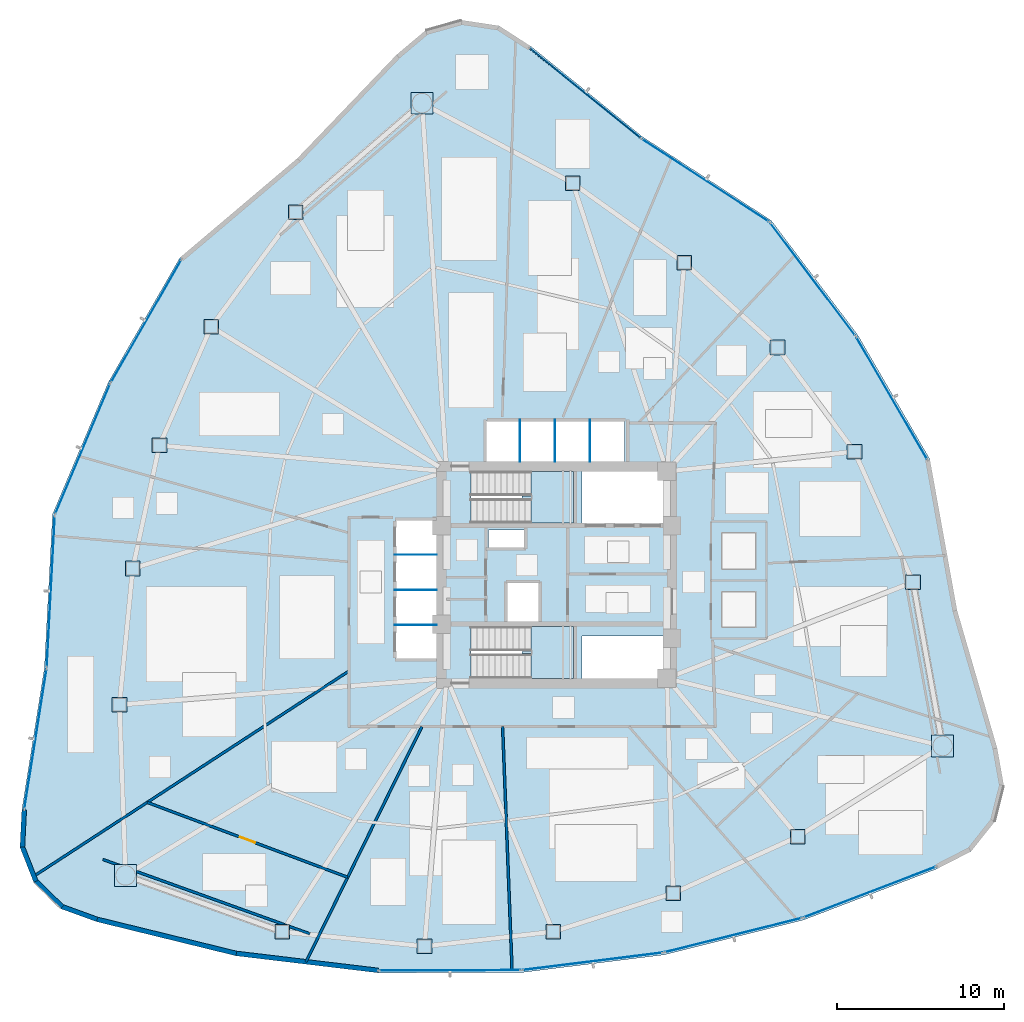
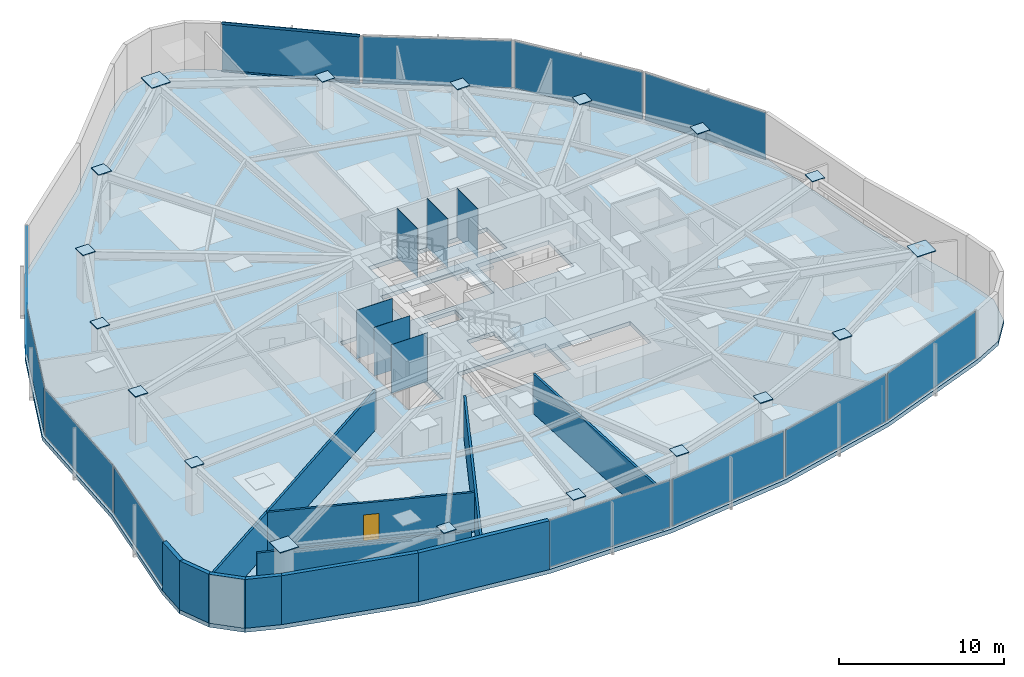
# One storey, part 10 of 17: 36 plates, 11 walls, 3 slabs, 2 members, 1 door, 1 opening, 14 elements without a shape of their own.
"""IFC4 building model written with IfcOpenShell, lengths in metres."""

from ifc_helpers import new_model, si_unit, direction, frame, frame_2d, origin, origin_2d, place, context, subcontext, project, spatial, polyline, rectangle, hollow_rectangle, outline, extrude, source, transform, mapped, material, layer, layer_set, material_profile, profile_set, type_object, type_shapes, element, fill, aggregate, save


model = new_model("IFC4")

# Units and contexts
model_context = context("Model", 3, precision=1e-05, world=origin(), true_north=direction((0.0, 1.0)))
body_context = subcontext(model_context, "Body", "Model", "MODEL_VIEW")
ifc_project = project(units=[si_unit("LENGTHUNIT", "METRE"), si_unit("AREAUNIT", "SQUARE_METRE"), si_unit("VOLUMEUNIT", "CUBIC_METRE"), si_unit("PLANEANGLEUNIT", "RADIAN"), si_unit("MASSUNIT", "GRAM", prefix="KILO")], contexts=[model_context])

# Site, building, storey
site_placement = place(None, origin())
site = spatial("IfcSite", under=ifc_project, at=site_placement, CompositionType="ELEMENT")
building_placement = place(site_placement, origin())
building = spatial("IfcBuilding", under=site, at=building_placement, Name="Tavelor Broadcast Tower", CompositionType="ELEMENT")
storey_placement = place(building_placement, frame((0.0, 0.0, 39.300048828125)))
storey = spatial("IfcBuildingStorey", under=building, at=storey_placement, Name="L08", CompositionType="ELEMENT", Elevation=39.300048828125)

# Curtain wall, members
ifc_material_1 = material(Name="Architectural Anodized Aluminium", Category="aluminium")
ifc_layer_1 = layer(ifc_material_1, 0.179931640625)
ifc_layer_set_1 = layer_set([ifc_layer_1], Name="Architectural Anodized Aluminium")
curtain_wall_type = type_object("IfcCurtainWallType", Name="Tower Low-Zone Unitised Curtain Wall CW02", PredefinedType="NOTDEFINED", material=ifc_layer_set_1)
curtain_wall_1_placement = place(storey_placement, origin())
curtain_wall_1 = element("IfcCurtainWall", 1, at=curtain_wall_1_placement, inside=storey, type_object=curtain_wall_type, Name="L08 Curtain Wall CW02 Run 60", PredefinedType="NOTDEFINED")
ifc_material_profile = material_profile(ifc_material_1, hollow_rectangle(XDim=0.06494140625, YDim=0.179931640625, WallThickness=0.02197265625, at=origin_2d()), Name="RHS 65x180x22")
ifc_profile_set = profile_set([ifc_material_profile], Name="Architectural Anodized Aluminium")
member_type = type_object("IfcMemberType", Name="CW02 Extruded Aluminium Transom 65x180", PredefinedType="USERDEFINED", material=ifc_profile_set)
shared_shape_1 = source(origin(), body_context, "Body", "SweptSolid", [
    extrude(hollow_rectangle(XDim=0.06494140625, YDim=0.179931640625, WallThickness=0.02197265625, at=origin_2d()), origin(), (0.0, 0.0, 1.0), 8.4560546875),
])
type_shapes(member_type, [shared_shape_1])
member_1_placement = place(storey_placement, frame((54.9794921875, 71.197021484375, 0.032470703125), z_axis=(-0.77688704905, 0.629639986832, 0.0), x_axis=(-0.629639986832, -0.77688704905, 0.0)))
member_1 = element("IfcMember", 2, at=member_1_placement, type_object=member_type, Name="CW02 transom 1.1", ObjectType="TRANSOM", PredefinedType="USERDEFINED", context=body_context, shape_type="MappedRepresentation", body=[
    mapped(shared_shape_1, transform((0.0, 0.0, 0.0), scale=1.0)),
])
member_2_placement = place(storey_placement, frame((54.9794921875, 71.197021484375, 3.5673828125), z_axis=(-0.77688704905, 0.629639986832, 0.0), x_axis=(-0.629639986832, -0.77688704905, 0.0)))
member_2 = element("IfcMember", 3, at=member_2_placement, type_object=member_type, Name="CW02 transom 1.2", ObjectType="TRANSOM", PredefinedType="USERDEFINED", context=body_context, shape_type="MappedRepresentation", body=[
    mapped(shared_shape_1, transform((0.0, 0.0, 0.0), scale=1.0)),
])

# Stair, slab
ifc_material_2 = material(Name="Concrete C40/50", Category="concrete")
stair_type = type_object("IfcStairType", Name="Reinforced Concrete Protected Dogleg Stair 1450 mm", PredefinedType="HALF_TURN_STAIR", material=ifc_material_2)
stair_1_placement = place(storey_placement, origin())
stair_1 = element("IfcStair", 4, at=stair_1_placement, inside=storey, type_object=stair_type, Name="L08 Protected Core Exit Stair ST1", PredefinedType="HALF_TURN_STAIR")
ifc_layer_2 = layer(ifc_material_2, 0.199951171875)
ifc_layer_set_2 = layer_set([ifc_layer_2], Name="Concrete C40/50")
slab_type_1 = type_object("IfcSlabType", Name="Reinforced Concrete Stair Half-Landing Slab 200 mm", PredefinedType="LANDING", material=ifc_layer_set_2)
slab_1_placement = place(storey_placement, frame((0.0, 0.0, 1.75)))
slab_1 = element("IfcSlab", 5, at=slab_1_placement, type_object=slab_type_1, Name="ST1 landing 1", PredefinedType="LANDING", context=body_context, shape_type="SweptSolid", body=[
    extrude(outline(polyline([(48.445068359375, 49.590087890625), (48.445068359375, 48.094970703125), (51.0048828125, 48.094970703125), (51.0048828125, 51.205078125), (48.445068359375, 51.205078125), (48.445068359375, 49.7099609375), (47.905029296875, 49.7099609375), (47.905029296875, 49.590087890625), (48.445068359375, 49.590087890625)])), origin(), (0.0, 0.0, 1.0), 0.199951171875),
])
aggregate(stair_1, [slab_1])

stair_2_placement = place(storey_placement, origin())
stair_2 = element("IfcStair", 6, at=stair_2_placement, inside=storey, type_object=stair_type, Name="L08 Protected Core Exit Stair ST2", PredefinedType="HALF_TURN_STAIR")
slab_2_placement = place(storey_placement, frame((0.0, 0.0, 1.75)))
slab_2 = element("IfcSlab", 7, at=slab_2_placement, type_object=slab_type_1, Name="ST2 landing 1", PredefinedType="LANDING", context=body_context, shape_type="SweptSolid", body=[
    extrude(outline(polyline([(48.445068359375, 40.2900390625), (48.445068359375, 38.794921875), (51.0048828125, 38.794921875), (51.0048828125, 41.905029296875), (48.445068359375, 41.905029296875), (48.445068359375, 40.409912109375), (47.905029296875, 40.409912109375), (47.905029296875, 40.2900390625), (48.445068359375, 40.2900390625)])), origin(), (0.0, 0.0, 1.0), 0.199951171875),
])
aggregate(stair_2, [slab_2])

# Slab
ifc_layer_3 = layer(ifc_material_2, 0.300048828125)
ifc_layer_set_3 = layer_set([ifc_layer_3], Name="Concrete C40/50")
slab_type_2 = type_object("IfcSlabType", Name="Tower Composite Floor Slab 300 mm", PredefinedType="FLOOR", material=ifc_layer_set_3)
slab_3_placement = place(storey_placement, frame((0.0, 0.0, -0.300048828125)))
element("IfcSlab", 8, at=slab_3_placement, inside=storey, type_object=slab_type_2, Name="L08 Structural Floor Slab", PredefinedType="FLOOR", context=body_context, shape_type="SweptSolid", body=[
    extrude(outline(polyline([(48.44189453125, 76.675537109375), (46.54345703125, 77.9013671875), (44.308837890625, 78.2373046875), (42.134033203125, 77.6240234375), (40.404296875, 76.169921875), (34.45361328125, 69.95947265625), (27.4169921875, 64.00830078125), (23.132568359375, 56.550048828125), (19.7822265625, 48.628173828125), (19.296142578125, 39.42529296875), (17.947021484375, 30.930419921875), (17.834716796875, 28.673583984375), (18.6611328125, 26.5703125), (20.27978515625, 24.993408203125), (22.40380859375, 24.222412109375), (30.7578125, 22.17431640625), (39.298095703125, 21.152099609375), (47.899169921875, 21.170654296875), (56.434814453125, 22.230224609375), (64.77978515625, 24.314697265625), (72.810791015625, 27.393798828125), (74.82177734375, 28.425048828125), (76.22998046875, 30.1923828125), (76.7861328125, 32.382568359375), (76.391845703125, 34.607666015625), (73.98876953125, 42.8662109375), (72.35302734375, 51.935546875), (68.036376953125, 59.375), (62.850830078125, 66.237548828125), (55.1240234375, 71.260009765625), (48.44189453125, 76.675537109375)]), holes=[polyline([(56.60009765625, 38.800048828125), (51.52001953125, 38.800048828125), (51.52001953125, 41.35009765625), (56.60009765625, 41.35009765625), (56.60009765625, 38.800048828125)]), polyline([(50.99609375, 38.803955078125), (44.85400390625, 38.803955078125), (44.85400390625, 41.89599609375), (50.99609375, 41.89599609375), (50.99609375, 38.803955078125)]), polyline([(47.050048828125, 42.199951171875), (47.050048828125, 44.550048828125), (48.949951171875, 44.550048828125), (48.949951171875, 42.199951171875), (47.050048828125, 42.199951171875)]), polyline([(40.35009765625, 40.0), (40.35009765625, 48.25), (42.800048828125, 48.25), (42.800048828125, 40.0), (40.35009765625, 40.0)]), polyline([(48.050048828125, 46.64990234375), (45.89990234375, 46.64990234375), (45.89990234375, 47.699951171875), (48.050048828125, 47.699951171875), (48.050048828125, 46.64990234375)]), polyline([(50.99609375, 48.10400390625), (44.85400390625, 48.10400390625), (44.85400390625, 51.196044921875), (50.99609375, 51.196044921875), (50.99609375, 48.10400390625)]), polyline([(56.60009765625, 48.10009765625), (51.52001953125, 48.10009765625), (51.52001953125, 51.199951171875), (56.60009765625, 51.199951171875), (56.60009765625, 48.10009765625)]), polyline([(54.050048828125, 51.800048828125), (45.800048828125, 51.800048828125), (45.800048828125, 54.25), (54.050048828125, 54.25), (54.050048828125, 51.800048828125)])]), origin(), (0.0, 0.0, 1.0), 0.300048828125),
])

# Plates
ifc_material_3 = material(Name="Steel S460", Category="steel")
ifc_layer_4 = layer(ifc_material_3, 0.050048828125)
ifc_layer_set_4 = layer_set([ifc_layer_4], Name="Steel S460")
plate_type_1 = type_object("IfcPlateType", Name="Tube Hollow-End Cap Plate KN05 700x700x50", PredefinedType="USERDEFINED", material=ifc_layer_set_4)
shared_shape_2 = source(origin(), body_context, "Body", "SweptSolid", [
    extrude(rectangle(XDim=1.299072265625, YDim=1.299072265625, at=origin_2d()), origin(), (0.0, 0.0, 1.0), 0.054931640625),
])
for number, where, z_axis, x_axis, name in (
    (9, (41.923095703125, 73.266357421875, 3.572265625), (0.0, 0.0, 1.0), (1.0, 0.0, 0.0), "L08 Hollow End Cap Plate KN05 #292"),
    (10, (24.1591796875, 26.98974609375, 3.572265625), (0.0, 0.0, 1.0), (1.0, 0.0, 0.0), "L08 Hollow End Cap Plate KN05 #298"),
    (11, (73.117919921875, 34.743896484375, 3.572265625), (0.0, 0.0, 1.0), (1.0, 0.0, 0.0), "L08 Hollow End Cap Plate KN05 #304"),
):
    element("IfcPlate", number, at=place(storey_placement, frame(where, z_axis=z_axis, x_axis=x_axis)), inside=storey, type_object=plate_type_1, Name=name, ObjectType="CAP PLATE", PredefinedType="USERDEFINED", context=body_context, shape_type="MappedRepresentation", body=[
        mapped(shared_shape_2, transform((0.0, 0.0, 0.0), scale=1.0)),
    ])
shared_shape_3 = source(origin(), body_context, "Body", "SweptSolid", [
    extrude(rectangle(XDim=0.8798828125, YDim=0.8798828125, at=origin_2d()), origin(), (0.0, 0.0, 1.0), 0.054931640625),
])
type_shapes(plate_type_1, [shared_shape_2, shared_shape_3])
for number, where, z_axis, x_axis, name in (
    (12, (34.356201171875, 66.727783203125, 3.572265625), (0.0, 0.0, 1.0), (1.0, 0.0, 0.0), "L08 Hollow End Cap Plate KN05 #293"),
    (13, (29.292236328125, 59.87158203125, 3.572265625), (0.0, 0.0, 1.0), (1.0, 0.0, 0.0), "L08 Hollow End Cap Plate KN05 #294"),
    (14, (26.189208984375, 52.75830078125, 3.572265625), (0.0, 0.0, 1.0), (1.0, 0.0, 0.0), "L08 Hollow End Cap Plate KN05 #295"),
    (15, (24.58984375, 45.380615234375, 3.572265625), (0.0, 0.0, 1.0), (1.0, 0.0, 0.0), "L08 Hollow End Cap Plate KN05 #296"),
    (16, (23.794677734375, 37.21630859375, 3.572265625), (0.0, 0.0, 1.0), (1.0, 0.0, 0.0), "L08 Hollow End Cap Plate KN05 #297"),
    (17, (33.55078125, 23.615478515625, 3.572265625), (0.0, 0.0, 1.0), (1.0, 0.0, 0.0), "L08 Hollow End Cap Plate KN05 #299"),
    (18, (42.0732421875, 22.740478515625, 3.572265625), (0.0, 0.0, 1.0), (1.0, 0.0, 0.0), "L08 Hollow End Cap Plate KN05 #300"),
    (19, (49.78662109375, 23.617919921875, 3.572265625), (0.0, 0.0, 1.0), (1.0, 0.0, 0.0), "L08 Hollow End Cap Plate KN05 #301"),
    (20, (56.975341796875, 25.92138671875, 3.572265625), (0.0, 0.0, 1.0), (1.0, 0.0, 0.0), "L08 Hollow End Cap Plate KN05 #302"),
    (21, (64.443603515625, 29.31494140625, 3.572265625), (0.0, 0.0, 1.0), (1.0, 0.0, 0.0), "L08 Hollow End Cap Plate KN05 #303"),
    (22, (71.343994140625, 44.564697265625, 3.572265625), (0.0, 0.0, 1.0), (1.0, 0.0, 0.0), "L08 Hollow End Cap Plate KN05 #305"),
    (23, (67.8408203125, 52.382568359375, 3.572265625), (0.0, 0.0, 1.0), (1.0, 0.0, 0.0), "L08 Hollow End Cap Plate KN05 #306"),
    (24, (63.22412109375, 58.623779296875, 3.572265625), (0.0, 0.0, 1.0), (1.0, 0.0, 0.0), "L08 Hollow End Cap Plate KN05 #307"),
    (25, (57.634765625, 63.69775390625, 3.572265625), (0.0, 0.0, 1.0), (1.0, 0.0, 0.0), "L08 Hollow End Cap Plate KN05 #308"),
    (26, (50.9619140625, 68.468505859375, 3.572265625), (0.0, 0.0, 1.0), (1.0, 0.0, 0.0), "L08 Hollow End Cap Plate KN05 #309"),
):
    element("IfcPlate", number, at=place(storey_placement, frame(where, z_axis=z_axis, x_axis=x_axis)), inside=storey, type_object=plate_type_1, Name=name, ObjectType="CAP PLATE", PredefinedType="USERDEFINED", context=body_context, shape_type="MappedRepresentation", body=[
        mapped(shared_shape_3, transform((0.0, 0.0, 0.0), scale=1.0)),
    ])
ifc_material_4 = material(Name="Steel S355", Category="steel")
ifc_layer_5 = layer(ifc_material_4, 0.011962890625)
ifc_layer_set_5 = layer_set([ifc_layer_5], Name="Steel S355")
plate_type_2 = type_object("IfcPlateType", Name="Hoistway Steel Separator Screen 12 mm", PredefinedType="SHEET", material=ifc_layer_set_5)
shared_shape_4 = source(origin(), body_context, "Body", "SweptSolid", [
    extrude(rectangle(XDim=2.52001953125, YDim=0.02001953125, at=origin_2d()), origin(), (0.0, 0.0, 1.0), 3.60009765625),
])
for number, where, z_axis, x_axis, name in (
    (27, (41.56005859375, 42.0, 0.0), (0.0, 0.0, 1.0), (1.0, 0.0, 0.0), "L08 Low-Rise Hoistway Separator Screen 1"),
    (28, (41.56005859375, 44.10009765625, 0.0), (0.0, 0.0, 1.0), (1.0, 0.0, 0.0), "L08 Low-Rise Hoistway Separator Screen 2"),
    (29, (41.56005859375, 46.199951171875, 0.0), (0.0, 0.0, 1.0), (1.0, 0.0, 0.0), "L08 Low-Rise Hoistway Separator Screen 3"),
):
    element("IfcPlate", number, at=place(storey_placement, frame(where, z_axis=z_axis, x_axis=x_axis)), inside=storey, type_object=plate_type_2, Name=name, PredefinedType="SHEET", context=body_context, shape_type="MappedRepresentation", body=[
        mapped(shared_shape_4, transform((0.0, 0.0, 0.0), scale=1.0)),
    ])
shared_shape_5 = source(origin(), body_context, "Body", "SweptSolid", [
    extrude(rectangle(XDim=0.02001953125, YDim=2.52001953125, at=origin_2d()), origin(), (0.0, 0.0, 1.0), 3.60009765625),
])
type_shapes(plate_type_2, [shared_shape_4, shared_shape_5])
for number, where, z_axis, x_axis, name in (
    (30, (47.800048828125, 53.0400390625, 0.0), (0.0, 0.0, 1.0), (1.0, 0.0, 0.0), "L08 High-Rise Hoistway Separator Screen 1"),
    (31, (49.89990234375, 53.0400390625, 0.0), (0.0, 0.0, 1.0), (1.0, 0.0, 0.0), "L08 High-Rise Hoistway Separator Screen 2"),
    (32, (52.0, 53.0400390625, 0.0), (0.0, 0.0, 1.0), (1.0, 0.0, 0.0), "L08 High-Rise Hoistway Separator Screen 3"),
):
    element("IfcPlate", number, at=place(storey_placement, frame(where, z_axis=z_axis, x_axis=x_axis)), inside=storey, type_object=plate_type_2, Name=name, PredefinedType="SHEET", context=body_context, shape_type="MappedRepresentation", body=[
        mapped(shared_shape_5, transform((0.0, 0.0, 0.0), scale=1.0)),
    ])

# Curtain wall, plate
curtain_wall_2_placement = place(storey_placement, origin())
curtain_wall_2 = element("IfcCurtainWall", 33, at=curtain_wall_2_placement, inside=storey, type_object=curtain_wall_type, Name="L08 Curtain Wall CW02 Run 52", PredefinedType="NOTDEFINED")
ifc_material_5 = material(Name="Acoustic Double Glazing 28 mm", Category="glass")
ifc_layer_6 = layer(ifc_material_5, 0.028076171875)
ifc_layer_set_6 = layer_set([ifc_layer_6], Name="Acoustic Double Glazing 28 mm")
plate_type_3 = type_object("IfcPlateType", Name="CW02 Insulated Vision Glazing Panel 28 mm", PredefinedType="CURTAIN_PANEL", material=ifc_layer_set_6)
shared_shape_6 = source(origin(), body_context, "Body", "SweptSolid", [
    extrude(rectangle(XDim=8.4560546875, YDim=0.028076171875, at=origin_2d()), origin(), (0.0, 0.0, 1.0), 3.469970703125),
])
plate_1_placement = place(storey_placement, frame((18.760009765625, 35.156005859375, 0.06494140625), z_axis=(0.0, 0.0, 1.0), x_axis=(-0.156847067475, -0.98762290244, 0.0)))
plate_1 = element("IfcPlate", 34, at=plate_1_placement, type_object=plate_type_3, Name="CW02 panel 1.1", PredefinedType="CURTAIN_PANEL", context=body_context, shape_type="MappedRepresentation", body=[
    mapped(shared_shape_6, transform((0.0, 0.0, 0.0), scale=1.0)),
])
aggregate(curtain_wall_2, [plate_1])

# Plate
plate_2_placement = place(storey_placement, frame((51.69482421875, 73.859130859375, 0.06494140625), z_axis=(0.0, 0.0, 1.0), x_axis=(-0.776894322289, 0.629631012574, 0.0)))
plate_2 = element("IfcPlate", 35, at=plate_2_placement, type_object=plate_type_3, Name="CW02 panel 1.1", PredefinedType="CURTAIN_PANEL", context=body_context, shape_type="MappedRepresentation", body=[
    mapped(shared_shape_6, transform((0.0, 0.0, 0.0), scale=1.0)),
])

aggregate(curtain_wall_1, [member_1, member_2, plate_2])

# Curtain wall, plate
curtain_wall_3_placement = place(storey_placement, origin())
curtain_wall_3 = element("IfcCurtainWall", 36, at=curtain_wall_3_placement, inside=storey, type_object=curtain_wall_type, Name="L08 Curtain Wall CW02 Run 49", PredefinedType="NOTDEFINED")
shared_shape_7 = source(origin(), body_context, "Body", "SweptSolid", [
    extrude(rectangle(XDim=8.42333984375, YDim=0.028076171875, at=origin_2d()), origin(), (0.0, 0.0, 1.0), 3.469970703125),
])
plate_3_placement = place(storey_placement, frame((25.39599609375, 60.208984375, 0.06494140625), z_axis=(0.0, 0.0, 1.0), x_axis=(-0.498115670037, -0.867110592291, 0.0)))
plate_3 = element("IfcPlate", 37, at=plate_3_placement, type_object=plate_type_3, Name="CW02 panel 1.1", PredefinedType="CURTAIN_PANEL", context=body_context, shape_type="MappedRepresentation", body=[
    mapped(shared_shape_7, transform((0.0, 0.0, 0.0), scale=1.0)),
])
aggregate(curtain_wall_3, [plate_3])

curtain_wall_4_placement = place(storey_placement, origin())
curtain_wall_4 = element("IfcCurtainWall", 38, at=curtain_wall_4_placement, inside=storey, type_object=curtain_wall_type, Name="L08 Curtain Wall CW02 Run 50", PredefinedType="NOTDEFINED")
shared_shape_8 = source(origin(), body_context, "Body", "SweptSolid", [
    extrude(rectangle(XDim=8.408203125, YDim=0.028076171875, at=origin_2d()), origin(), (0.0, 0.0, 1.0), 3.469970703125),
])
plate_4_placement = place(storey_placement, frame((21.589599609375, 52.5419921875, 0.06494140625), z_axis=(0.0, 0.0, 1.0), x_axis=(-0.389511608751, -0.921021556017, 0.0)))
plate_4 = element("IfcPlate", 39, at=plate_4_placement, type_object=plate_type_3, Name="CW02 panel 1.1", PredefinedType="CURTAIN_PANEL", context=body_context, shape_type="MappedRepresentation", body=[
    mapped(shared_shape_8, transform((0.0, 0.0, 0.0), scale=1.0)),
])
aggregate(curtain_wall_4, [plate_4])

curtain_wall_5_placement = place(storey_placement, origin())
curtain_wall_5 = element("IfcCurtainWall", 40, at=curtain_wall_5_placement, inside=storey, type_object=curtain_wall_type, Name="L08 Curtain Wall CW02 Run 58", PredefinedType="NOTDEFINED")
plate_5_placement = place(storey_placement, frame((65.336669921875, 62.715576171875, 0.06494140625), z_axis=(0.0, 0.0, 1.0), x_axis=(-0.60286142118, 0.797845916737, 0.0)))
plate_5 = element("IfcPlate", 41, at=plate_5_placement, type_object=plate_type_3, Name="CW02 panel 1.1", PredefinedType="CURTAIN_PANEL", context=body_context, shape_type="MappedRepresentation", body=[
    mapped(shared_shape_8, transform((0.0, 0.0, 0.0), scale=1.0)),
])
aggregate(curtain_wall_5, [plate_5])

curtain_wall_6_placement = place(storey_placement, origin())
curtain_wall_6 = element("IfcCurtainWall", 42, at=curtain_wall_6_placement, inside=storey, type_object=curtain_wall_type, Name="L08 Curtain Wall CW02 Run 51", PredefinedType="NOTDEFINED")
shared_shape_9 = source(origin(), body_context, "Body", "SweptSolid", [
    extrude(rectangle(XDim=9.038330078125, YDim=0.028076171875, at=origin_2d()), origin(), (0.0, 0.0, 1.0), 3.469970703125),
])
plate_6_placement = place(storey_placement, frame((19.67822265625, 44.00341796875, 0.06494140625), z_axis=(0.0, 0.0, 1.0), x_axis=(-0.052746602571, -0.998607929028, 0.0)))
plate_6 = element("IfcPlate", 43, at=plate_6_placement, type_object=plate_type_3, Name="CW02 panel 1.1", PredefinedType="CURTAIN_PANEL", context=body_context, shape_type="MappedRepresentation", body=[
    mapped(shared_shape_9, transform((0.0, 0.0, 0.0), scale=1.0)),
])
aggregate(curtain_wall_6, [plate_6])

curtain_wall_7_placement = place(storey_placement, origin())
curtain_wall_7 = element("IfcCurtainWall", 44, at=curtain_wall_7_placement, inside=storey, type_object=curtain_wall_type, Name="L08 Curtain Wall CW02 Run 59", PredefinedType="NOTDEFINED")
plate_7_placement = place(storey_placement, frame((58.897705078125, 68.64013671875, 0.06494140625), z_axis=(0.0, 0.0, 1.0), x_axis=(-0.838447603393, 0.544982216558, 0.0)))
plate_7 = element("IfcPlate", 45, at=plate_7_placement, type_object=plate_type_3, Name="CW02 panel 1.1", PredefinedType="CURTAIN_PANEL", context=body_context, shape_type="MappedRepresentation", body=[
    mapped(shared_shape_9, transform((0.0, 0.0, 0.0), scale=1.0)),
])
aggregate(curtain_wall_7, [plate_7])

curtain_wall_8_placement = place(storey_placement, origin())
curtain_wall_8 = element("IfcCurtainWall", 46, at=curtain_wall_8_placement, inside=storey, type_object=curtain_wall_type, Name="L08 Curtain Wall CW02 Run 53", PredefinedType="NOTDEFINED")
shared_shape_10 = source(origin(), body_context, "Body", "SweptSolid", [
    extrude(rectangle(XDim=8.439208984375, YDim=0.028076171875, at=origin_2d()), origin(), (0.0, 0.0, 1.0), 3.469970703125),
])
plate_8_placement = place(storey_placement, frame((43.5908203125, 21.30126953125, 0.06494140625), z_axis=(0.0, 0.0, 1.0), x_axis=(0.999997644334, 0.002170559235, 0.0)))
plate_8 = element("IfcPlate", 47, at=plate_8_placement, type_object=plate_type_3, Name="CW02 panel 1.1", PredefinedType="CURTAIN_PANEL", context=body_context, shape_type="MappedRepresentation", body=[
    mapped(shared_shape_10, transform((0.0, 0.0, 0.0), scale=1.0)),
])
aggregate(curtain_wall_8, [plate_8])

curtain_wall_9_placement = place(storey_placement, origin())
curtain_wall_9 = element("IfcCurtainWall", 48, at=curtain_wall_9_placement, inside=storey, type_object=curtain_wall_type, Name="L08 Curtain Wall CW02 Run 54", PredefinedType="NOTDEFINED")
shared_shape_11 = source(origin(), body_context, "Body", "SweptSolid", [
    extrude(rectangle(XDim=8.424072265625, YDim=0.028076171875, at=origin_2d()), origin(), (0.0, 0.0, 1.0), 3.469970703125),
])
plate_9_placement = place(storey_placement, frame((52.14990234375, 21.83935546875, 0.06494140625), z_axis=(0.0, 0.0, 1.0), x_axis=(0.992384339455, 0.12318004223, 0.0)))
plate_9 = element("IfcPlate", 49, at=plate_9_placement, type_object=plate_type_3, Name="CW02 panel 1.1", PredefinedType="CURTAIN_PANEL", context=body_context, shape_type="MappedRepresentation", body=[
    mapped(shared_shape_11, transform((0.0, 0.0, 0.0), scale=1.0)),
])
aggregate(curtain_wall_9, [plate_9])

curtain_wall_10_placement = place(storey_placement, origin())
curtain_wall_10 = element("IfcCurtainWall", 50, at=curtain_wall_10_placement, inside=storey, type_object=curtain_wall_type, Name="L08 Curtain Wall CW02 Run 55", PredefinedType="NOTDEFINED")
shared_shape_12 = source(origin(), body_context, "Body", "SweptSolid", [
    extrude(rectangle(XDim=8.42431640625, YDim=0.028076171875, at=origin_2d()), origin(), (0.0, 0.0, 1.0), 3.469970703125),
])
plate_10_placement = place(storey_placement, frame((60.573486328125, 23.408203125, 0.06494140625), z_axis=(0.0, 0.0, 1.0), x_axis=(0.970189242731, 0.242348578061, 0.0)))
plate_10 = element("IfcPlate", 51, at=plate_10_placement, type_object=plate_type_3, Name="CW02 panel 1.1", PredefinedType="CURTAIN_PANEL", context=body_context, shape_type="MappedRepresentation", body=[
    mapped(shared_shape_12, transform((0.0, 0.0, 0.0), scale=1.0)),
])
aggregate(curtain_wall_10, [plate_10])

curtain_wall_11_placement = place(storey_placement, origin())
curtain_wall_11 = element("IfcCurtainWall", 52, at=curtain_wall_11_placement, inside=storey, type_object=curtain_wall_type, Name="L08 Curtain Wall CW02 Run 56", PredefinedType="NOTDEFINED")
shared_shape_13 = source(origin(), body_context, "Body", "SweptSolid", [
    extrude(rectangle(XDim=8.440185546875, YDim=0.028076171875, at=origin_2d()), origin(), (0.0, 0.0, 1.0), 3.469970703125),
])
plate_11_placement = place(storey_placement, frame((68.752685546875, 25.98779296875, 0.06494140625), z_axis=(0.0, 0.0, 1.0), x_axis=(0.933727006848, 0.357985861008, 0.0)))
plate_11 = element("IfcPlate", 53, at=plate_11_placement, type_object=plate_type_3, Name="CW02 panel 1.1", PredefinedType="CURTAIN_PANEL", context=body_context, shape_type="MappedRepresentation", body=[
    mapped(shared_shape_13, transform((0.0, 0.0, 0.0), scale=1.0)),
])
aggregate(curtain_wall_11, [plate_11])

curtain_wall_12_placement = place(storey_placement, origin())
curtain_wall_12 = element("IfcCurtainWall", 54, at=curtain_wall_12_placement, inside=storey, type_object=curtain_wall_type, Name="L08 Curtain Wall CW02 Run 57", PredefinedType="NOTDEFINED")
shared_shape_14 = source(origin(), body_context, "Body", "SweptSolid", [
    extrude(rectangle(XDim=8.423095703125, YDim=0.028076171875, at=origin_2d()), origin(), (0.0, 0.0, 1.0), 3.469970703125),
])
type_shapes(plate_type_3, [shared_shape_6, shared_shape_7, shared_shape_8, shared_shape_9, shared_shape_10, shared_shape_11, shared_shape_12, shared_shape_13, shared_shape_14])
plate_12_placement = place(storey_placement, frame((70.0732421875, 55.58544921875, 0.06494140625), z_axis=(0.0, 0.0, 1.0), x_axis=(-0.501885878247, 0.864933850197, 0.0)))
plate_12 = element("IfcPlate", 55, at=plate_12_placement, type_object=plate_type_3, Name="CW02 panel 1.1", PredefinedType="CURTAIN_PANEL", context=body_context, shape_type="MappedRepresentation", body=[
    mapped(shared_shape_14, transform((0.0, 0.0, 0.0), scale=1.0)),
])
aggregate(curtain_wall_12, [plate_12])

# Walls
ifc_material_6 = material(Name="Precast Concrete C40/50", Category="concrete")
ifc_layer_7 = layer(ifc_material_6, 0.280029296875)
ifc_layer_set_7 = layer_set([ifc_layer_7], Name="Precast Concrete C40/50")
wall_type_1 = type_object("IfcWallType", Name="Insulated Precast Terracotta Facade Wall 280 mm", PredefinedType="STANDARD", material=ifc_layer_set_7)
wall_1_placement = place(storey_placement, frame((18.0869140625, 30.919921875, 0.0), z_axis=(0.0, 0.0, 1.0), x_axis=(-0.049790898489, -0.998759663997, 0.0)))
element("IfcWall", 56, at=wall_1_placement, inside=storey, type_object=wall_type_1, Name="L08 Rounded Corner Structural Cladding Pier 11", PredefinedType="STANDARD", context=body_context, shape_type="SweptSolid", body=[
    extrude(rectangle(XDim=2.24072265625, YDim=0.280029296875, at=frame_2d((1.120361328125, 0.0))), origin(), (0.0, 0.0, 1.0), 3.599853515625),
])
for number, where, z_axis, x_axis, name in (
    (57, (17.970703125, 28.710693359375, 0.0), (0.0, 0.0, 1.0), (0.365625269152, -0.930762140698, 0.0), "L08 Rounded Corner Structural Cladding Pier 12"),
    (58, (18.76953125, 26.659912109375, 0.0), (0.0, 0.0, 1.0), (0.716353074428, -0.697737968551, 0.0), "L08 Rounded Corner Structural Cladding Pier 13"),
):
    element("IfcWall", number, at=place(storey_placement, frame(where, z_axis=z_axis, x_axis=x_axis)), inside=storey, type_object=wall_type_1, Name=name, PredefinedType="STANDARD", context=body_context, shape_type="SweptSolid", body=[
        extrude(rectangle(XDim=2.2294921875, YDim=0.280029296875, at=frame_2d((1.11474609375, 0.0))), origin(), (0.0, 0.0, 1.0), 3.599853515625),
    ])
wall_2_placement = place(storey_placement, frame((20.341796875, 25.119873046875, 0.0), z_axis=(0.0, 0.0, 1.0), x_axis=(0.940005310642, -0.341159810009, 0.0)))
element("IfcWall", 59, at=wall_2_placement, inside=storey, type_object=wall_type_1, Name="L08 Rounded Corner Structural Cladding Pier 14", PredefinedType="STANDARD", context=body_context, shape_type="SweptSolid", body=[
    extrude(rectangle(XDim=2.251953125, YDim=0.280029296875, at=frame_2d((1.1259765625, 0.0))), origin(), (0.0, 0.0, 1.0), 3.599853515625),
])
wall_3_placement = place(storey_placement, frame((22.429931640625, 24.360107421875, 0.0), z_axis=(0.0, 0.0, 1.0), x_axis=(0.9712343435, -0.23812570211, 0.0)))
element("IfcWall", 60, at=wall_3_placement, inside=storey, type_object=wall_type_1, Name="L08 Rounded Corner Structural Cladding Pier 15", PredefinedType="STANDARD", context=body_context, shape_type="SweptSolid", body=[
    extrude(rectangle(XDim=8.615234375, YDim=0.280029296875, at=frame_2d((4.3076171875, 0.0))), origin(), (0.0, 0.0, 1.0), 3.599853515625),
])
wall_4_placement = place(storey_placement, frame((30.767822265625, 22.314208984375, 0.0), z_axis=(0.0, 0.0, 1.0), x_axis=(0.992909698215, -0.118871069615, 0.0)))
element("IfcWall", 61, at=wall_4_placement, inside=storey, type_object=wall_type_1, Name="L08 Rounded Corner Structural Cladding Pier 16", PredefinedType="STANDARD", context=body_context, shape_type="SweptSolid", body=[
    extrude(rectangle(XDim=8.603515625, YDim=0.280029296875, at=frame_2d((4.3017578125, 0.0))), origin(), (0.0, 0.0, 1.0), 3.599853515625),
])
ifc_material_7 = material(Name="Gypsum Acoustic Plasterboard 150 mm", Category="gypsum")
ifc_layer_8 = layer(ifc_material_7, 0.14990234375)
ifc_layer_set_8 = layer_set([ifc_layer_8], Name="Gypsum Acoustic Plasterboard 150 mm")
wall_type_2 = type_object("IfcWallType", Name="Interior Acoustic Partition Wall 150 mm", PredefinedType="PARTITIONING", material=ifc_layer_set_8)
wall_5_placement = place(storey_placement, frame((22.802001953125, 27.94482421875, 0.0), z_axis=(0.0, 0.0, 1.0), x_axis=(0.941102349209, -0.338121824662, 0.0)))
element("IfcWall", 62, at=wall_5_placement, inside=storey, type_object=wall_type_2, Name="L08 Corner Tube Brace Furring Wall 2", PredefinedType="PARTITIONING", context=body_context, shape_type="SweptSolid", body=[
    extrude(rectangle(XDim=13.1796875, YDim=0.14990234375, at=frame_2d((6.58984375, 0.0))), origin(), (0.0, 0.0, 1.0), 2.925048828125),
])
wall_6_placement = place(storey_placement, frame((37.550048828125, 39.238037109375, 0.0), z_axis=(0.0, 0.0, 1.0), x_axis=(-0.838030442993, -0.545623475134, 0.0)))
element("IfcWall", 63, at=wall_6_placement, inside=storey, type_object=wall_type_2, Name="L08 Radial Compartment Wall 06", PredefinedType="PARTITIONING", context=body_context, shape_type="SweptSolid", body=[
    extrude(rectangle(XDim=22.544921875, YDim=0.14990234375, at=frame_2d((11.2724609375, 0.0))), origin(), (0.0, 0.0, 1.0), 2.925048828125),
])
wall_7_placement = place(storey_placement, frame((41.916015625, 35.89990234375, 0.0), z_axis=(0.0, 0.0, 1.0), x_axis=(-0.442005604852, -0.897012288255, 0.0)))
element("IfcWall", 64, at=wall_7_placement, inside=storey, type_object=wall_type_2, Name="L08 Radial Compartment Wall 07", PredefinedType="PARTITIONING", context=body_context, shape_type="SweptSolid", body=[
    extrude(rectangle(XDim=15.717529296875, YDim=0.14990234375, at=frame_2d((7.85888671875, 0.0))), origin(), (0.0, 0.0, 1.0), 2.974853515625),
])
wall_8_placement = place(storey_placement, frame((46.75341796875, 35.89990234375, 0.0), z_axis=(0.0, 0.0, 1.0), x_axis=(0.038830968233, -0.999245793539, 0.0)))
element("IfcWall", 65, at=wall_8_placement, inside=storey, type_object=wall_type_2, Name="L08 Radial Compartment Wall 08", PredefinedType="PARTITIONING", context=body_context, shape_type="SweptSolid", body=[
    extrude(rectangle(XDim=14.611572265625, YDim=0.14990234375, at=frame_2d((7.3056640625, 0.0))), origin(), (0.0, 0.0, 1.0), 2.925048828125),
])

# Wall, opening, door
wall_9_placement = place(storey_placement, frame((25.458251953125, 31.365234375, 0.0), z_axis=(0.0, 0.0, 1.0), x_axis=(0.936733084101, -0.350044467391, 0.0)))
wall_9 = element("IfcWall", 66, at=wall_9_placement, inside=storey, type_object=wall_type_2, Name="L08 Suite Chord Partition Wall 01", PredefinedType="PARTITIONING", context=body_context, shape_type="SweptSolid", body=[
    extrude(rectangle(XDim=12.82275390625, YDim=0.14990234375, at=frame_2d((6.411376953125, 0.0))), origin(), (0.0, 0.0, 1.0), 2.925048828125),
])
opening_placement = place(wall_9_placement, frame((5.936279296875, 0.0, 0.0)))
opening = element("IfcOpeningElement", 67, at=opening_placement, cuts=wall_9, Name="Opening DR23", PredefinedType="OPENING", context=body_context, shape_type="SweptSolid", body=[
    extrude(rectangle(XDim=0.949951171875, YDim=2.050048828125, at=frame_2d((0.47509765625, 1.02490234375))), frame((0.0, 0.0849609375, 0.0), z_axis=(0.0, -1.0, 0.0), x_axis=(1.0, 0.0, 0.0)), (0.0, 0.0, 1.0), 0.169921875),
])
ifc_material_8 = material(Name="Timber Solid Core Hardwood", Category="wood")
door_type = type_object("IfcDoorType", Name="Editorial Room Acoustic Door 950x2050", OperationType="NOTDEFINED", PredefinedType="DOOR", material=ifc_material_8)
door_placement = place(opening_placement, origin())
door = element("IfcDoor", 68, at=door_placement, inside=storey, type_object=door_type, Name="L08 Outer Suite Partition Door 1", OperationType="SINGLE_SWING_LEFT", OverallHeight=2.050048828125, OverallWidth=0.949951171875, PredefinedType="DOOR", context=body_context, shape_type="SweptSolid", body=[
    extrude(rectangle(XDim=0.949951171875, YDim=2.050048828125, at=frame_2d((0.47509765625, 1.02490234375))), frame((0.0, 0.02490234375, 0.0), z_axis=(0.0, -1.0, 0.0), x_axis=(1.0, 0.0, 0.0)), (0.0, 0.0, 1.0), 0.050048828125),
])
fill(opening, door)

save(model, "model.ifc")
